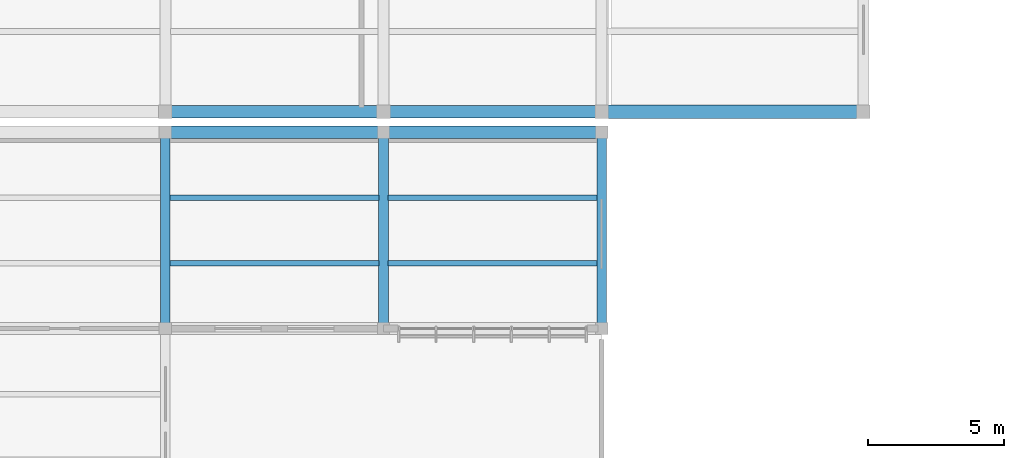
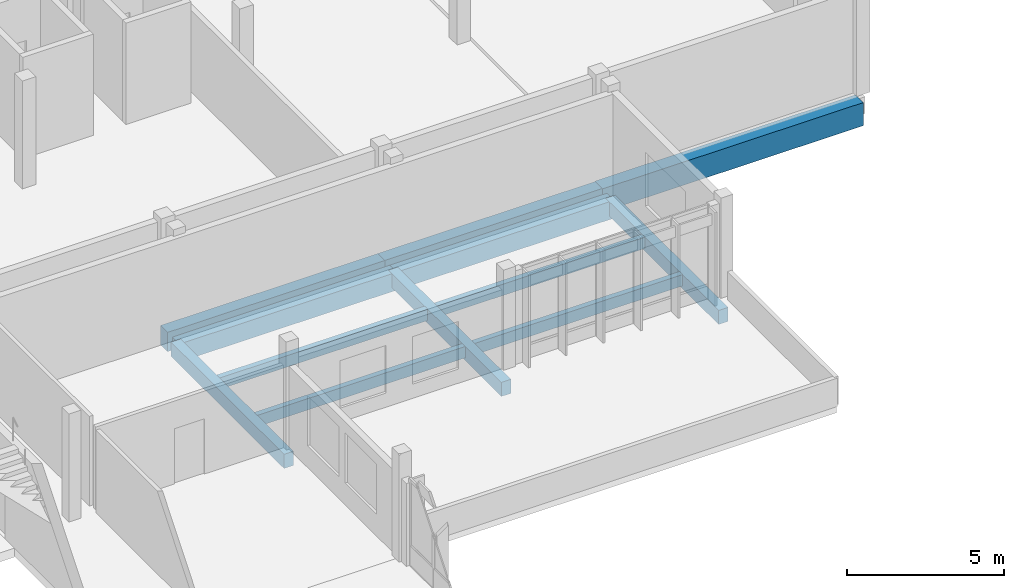
# One storey, part 77 of 182: 12 beams.
"""IFC4 building model written with IfcOpenShell, lengths in metres."""

from ifc_helpers import new_model, si_unit, direction, frame, origin, origin_2d, place, context, subcontext, project, spatial, rectangle, extrude, material, material_profile, profile_set, type_object, element, save


model = new_model("IFC4")

# Units and contexts
model_context = context("Model", 3, precision=1e-05, world=origin(), true_north=direction((0.0, 1.0)))
body_context = subcontext(model_context, "Body", "Model", "MODEL_VIEW")
ifc_project = project(units=[si_unit("LENGTHUNIT", "METRE"), si_unit("AREAUNIT", "SQUARE_METRE"), si_unit("VOLUMEUNIT", "CUBIC_METRE"), si_unit("PLANEANGLEUNIT", "RADIAN"), si_unit("MASSUNIT", "GRAM", prefix="KILO")], contexts=[model_context])

# Site, building, storey
site_placement = place(None, origin())
site = spatial("IfcSite", under=ifc_project, at=site_placement, CompositionType="ELEMENT")
building_placement = place(site_placement, origin())
building = spatial("IfcBuilding", under=site, at=building_placement, Name="Chiffa Square Polytechnic", CompositionType="ELEMENT")
storey_placement = place(building_placement, frame((0.0, 0.0, 9.60009765625)))
storey = spatial("IfcBuildingStorey", under=building, at=storey_placement, Name="L02", CompositionType="ELEMENT", Elevation=9.60009765625)

# Beams
ifc_material_1 = material(Name="Concrete C35/45", Category="concrete")
ifc_material_profile_1 = material_profile(ifc_material_1, rectangle(XDim=0.35009765625, YDim=0.550048828125, at=origin_2d()), Name="RC 350x550")
ifc_profile_set_1 = profile_set([ifc_material_profile_1], Name="Concrete C35/45")
beam_type_1 = type_object("IfcBeamType", Name="BM-RC-350X550", PredefinedType="BEAM", material=ifc_profile_set_1)
for number, where, z_axis, x_axis, name in (
    (1, (32.0, 87.0, -0.59521484375), (0.0, 1.0, 0.0), (-1.0, 0.0, 0.0), "Primary floor girder BM-V6-L02-Y-0320-0870"),
    (2, (40.0, 87.0, -0.59521484375), (0.0, 1.0, 0.0), (-1.0, 0.0, 0.0), "Primary floor girder BM-V6-L02-Y-0400-0870"),
    (3, (48.0, 87.0, -0.59521484375), (0.0, 1.0, 0.0), (-1.0, 0.0, 0.0), "Primary floor girder BM-V6-L02-Y-0480-0870"),
):
    element("IfcBeam", number, at=place(storey_placement, frame(where, z_axis=z_axis, x_axis=x_axis)), inside=storey, type_object=beam_type_1, Name=name, PredefinedType="BEAM", context=body_context, shape_type="SweptSolid", body=[
        extrude(rectangle(XDim=0.35009765625, YDim=0.550048828125, at=origin_2d()), origin(), (0.0, 0.0, 1.0), 7.199951171875),
    ])
ifc_material_profile_2 = material_profile(ifc_material_1, rectangle(XDim=0.449951171875, YDim=0.699951171875, at=origin_2d()), Name="RC 450x700")
ifc_profile_set_2 = profile_set([ifc_material_profile_2], Name="Concrete C35/45")
beam_type_2 = type_object("IfcBeamType", Name="BM-RC-450X700", PredefinedType="BEAM", material=ifc_profile_set_2)
for number, where, z_axis, x_axis, name in (
    (4, (32.0, 94.199951171875, -0.670166015625), (1.0, 0.0, 0.0), (0.0, 1.0, 0.0), "Primary floor girder BM-V6-L02-X-0320-0942"),
    (5, (40.0, 94.199951171875, -0.670166015625), (1.0, 0.0, 0.0), (0.0, 1.0, 0.0), "Primary floor girder BM-V6-L02-X-0400-0942"),
):
    element("IfcBeam", number, at=place(storey_placement, frame(where, z_axis=z_axis, x_axis=x_axis)), inside=storey, type_object=beam_type_2, Name=name, PredefinedType="BEAM", context=body_context, shape_type="SweptSolid", body=[
        extrude(rectangle(XDim=0.449951171875, YDim=0.699951171875, at=origin_2d()), origin(), (0.0, 0.0, 1.0), 8.0),
    ])
ifc_material_profile_3 = material_profile(ifc_material_1, rectangle(XDim=0.449951171875, YDim=0.75, at=origin_2d()), Name="RC 450x750")
ifc_profile_set_3 = profile_set([ifc_material_profile_3], Name="Concrete C35/45")
beam_type_3 = type_object("IfcBeamType", Name="BM-RC-450X750", PredefinedType="BEAM", material=ifc_profile_set_3)
for number, where, z_axis, x_axis, name in (
    (6, (32.0, 94.949951171875, -0.695068359375), (1.0, 0.0, 0.0), (0.0, 1.0, 0.0), "Primary floor girder BM-V5-L02-X-0320-0950"),
    (7, (40.0, 94.949951171875, -0.695068359375), (1.0, 0.0, 0.0), (0.0, 1.0, 0.0), "Primary floor girder BM-V5-L02-X-0400-0950"),
):
    element("IfcBeam", number, at=place(storey_placement, frame(where, z_axis=z_axis, x_axis=x_axis)), inside=storey, type_object=beam_type_3, Name=name, PredefinedType="BEAM", context=body_context, shape_type="SweptSolid", body=[
        extrude(rectangle(XDim=0.449951171875, YDim=0.75, at=origin_2d()), origin(), (0.0, 0.0, 1.0), 8.0),
    ])
ifc_material_2 = material(Name="Concrete C40/50", Category="concrete")
ifc_material_profile_4 = material_profile(ifc_material_2, rectangle(XDim=0.5, YDim=0.89990234375, at=origin_2d()), Name="RC 500x900")
ifc_profile_set_4 = profile_set([ifc_material_profile_4], Name="Concrete C40/50")
beam_type_4 = type_object("IfcBeamType", Name="BM-RC-500X900", PredefinedType="BEAM", material=ifc_profile_set_4)
beam_placement = place(storey_placement, frame((48.0, 94.949951171875, -0.77001953125), z_axis=(1.0, 0.0, 0.0), x_axis=(0.0, 1.0, 0.0)))
element("IfcBeam", 8, at=beam_placement, inside=storey, type_object=beam_type_4, Name="Primary floor girder BM-V5-L02-X-0480-0950", PredefinedType="BEAM", context=body_context, shape_type="SweptSolid", body=[
    extrude(rectangle(XDim=0.5, YDim=0.89990234375, at=origin_2d()), origin(), (0.0, 0.0, 1.0), 9.60009765625),
])
ifc_material_3 = material(Name="Glulam GL28h", Category="wood")
ifc_material_profile_5 = material_profile(ifc_material_3, rectangle(XDim=0.199951171875, YDim=0.43994140625, at=origin_2d()), Name="GL28h 200x440")
ifc_profile_set_5 = profile_set([ifc_material_profile_5], Name="Glulam GL28h")
beam_type_5 = type_object("IfcBeamType", Name="JST-GL-200X440", PredefinedType="JOIST", material=ifc_profile_set_5)
for number, where, z_axis, x_axis, name in (
    (9, (32.173095703125, 89.39990234375, -0.5400390625), (1.0, 0.0, 0.0), (0.0, 1.0, 0.0), "Secondary floor joist JST-V6-L02-0320-0894"),
    (10, (32.173095703125, 91.800048828125, -0.5400390625), (1.0, 0.0, 0.0), (0.0, 1.0, 0.0), "Secondary floor joist JST-V6-L02-0320-0918"),
    (11, (40.173095703125, 89.39990234375, -0.5400390625), (1.0, 0.0, 0.0), (0.0, 1.0, 0.0), "Secondary floor joist JST-V6-L02-0400-0894"),
    (12, (40.173095703125, 91.800048828125, -0.5400390625), (1.0, 0.0, 0.0), (0.0, 1.0, 0.0), "Secondary floor joist JST-V6-L02-0400-0918"),
):
    element("IfcBeam", number, at=place(storey_placement, frame(where, z_axis=z_axis, x_axis=x_axis)), inside=storey, type_object=beam_type_5, Name=name, PredefinedType="JOIST", context=body_context, shape_type="SweptSolid", body=[
        extrude(rectangle(XDim=0.199951171875, YDim=0.43994140625, at=origin_2d()), origin(), (0.0, 0.0, 1.0), 7.65380859375),
    ])

save(model, "model.ifc")
